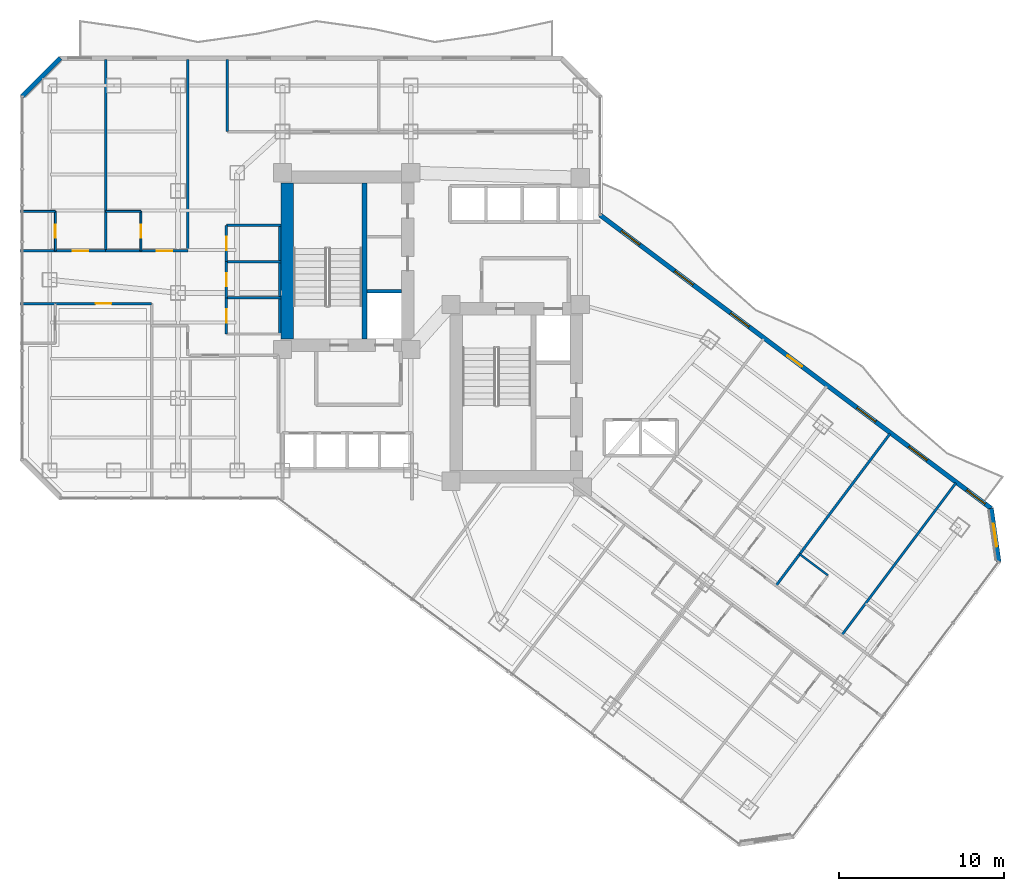
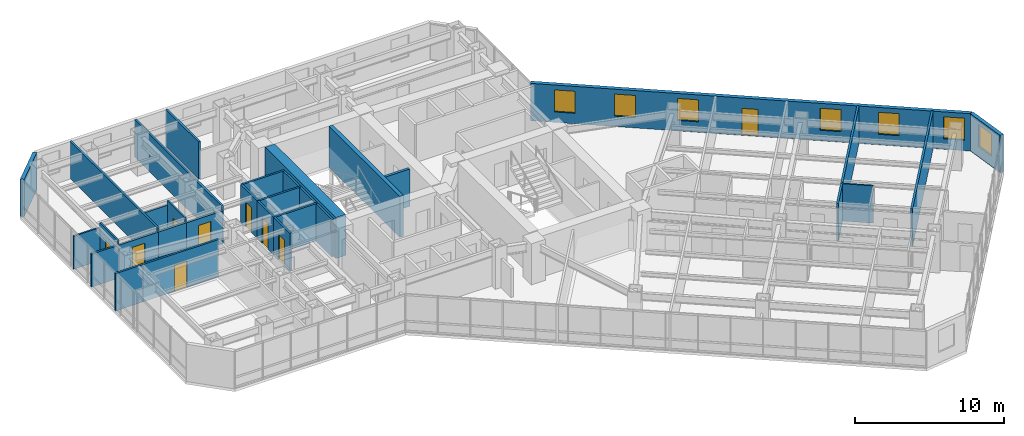
# One storey, part 30 of 36: 29 walls, 9 doors, 7 windows, 16 openings.
"""IFC4 building model written with IfcOpenShell, lengths in metres."""

from ifc_helpers import new_model, si_unit, direction, frame, frame_2d, origin, place, context, subcontext, project, spatial, rectangle, extrude, material, layer, layer_set, type_object, element, fill, save


model = new_model("IFC4")

# Units and contexts
model_context = context("Model", 3, precision=1e-05, world=origin(), true_north=direction((0.0, 1.0)))
body_context = subcontext(model_context, "Body", "Model", "MODEL_VIEW")
ifc_project = project(units=[si_unit("LENGTHUNIT", "METRE"), si_unit("AREAUNIT", "SQUARE_METRE"), si_unit("VOLUMEUNIT", "CUBIC_METRE"), si_unit("PLANEANGLEUNIT", "RADIAN"), si_unit("MASSUNIT", "GRAM", prefix="KILO")], contexts=[model_context])

# Site, building, storey
site_placement = place(None, origin())
site = spatial("IfcSite", under=ifc_project, at=site_placement, CompositionType="ELEMENT")
building_placement = place(site_placement, origin())
building = spatial("IfcBuilding", under=site, at=building_placement, Name="Hatsunagi Terrace Concourse", CompositionType="ELEMENT")
storey_placement = place(building_placement, frame((0.0, 0.0, 88.0)))
storey = spatial("IfcBuildingStorey", under=building, at=storey_placement, Name="L23", CompositionType="ELEMENT", Elevation=88.0)

# Walls
ifc_material_1 = material(Name="Concrete Fc60", Category="concrete")
ifc_layer_1 = layer(ifc_material_1, 0.75)
ifc_layer_set_1 = layer_set([ifc_layer_1], Name="CoreShearWall_Fc60_750")
wall_type_1 = type_object("IfcWallType", Name="CoreShearWall_Fc60_750", PredefinedType="SHEAR", material=ifc_layer_set_1)
wall_1_placement = place(storey_placement, frame((25.844970703125, 33.18994140625, 0.0), z_axis=(0.0, 0.0, 1.0), x_axis=(0.0, 1.0, 0.0)))
element("IfcWall", 1, at=wall_1_placement, inside=storey, type_object=wall_type_1, Name="Core A Shear Wall W L23", PredefinedType="SHEAR", context=body_context, shape_type="SweptSolid", body=[
    extrude(rectangle(XDim=9.47998046875, YDim=0.75, at=frame_2d((4.739990234375, 0.0))), origin(), (0.0, 0.0, 1.0), 3.35009765625),
])
ifc_material_2 = material(Name="Concrete Fc48", Category="concrete")
ifc_layer_2 = layer(ifc_material_2, 0.300048828125)
ifc_layer_set_2 = layer_set([ifc_layer_2], Name="CoreStairDivider_Fc48_300")
wall_type_2 = type_object("IfcWallType", Name="CoreStairDivider_Fc48_300", PredefinedType="SHEAR", material=ifc_layer_set_2)
wall_2_placement = place(storey_placement, frame((30.5400390625, 33.18994140625, 0.0), z_axis=(0.0, 0.0, 1.0), x_axis=(0.0, 1.0, 0.0)))
element("IfcWall", 2, at=wall_2_placement, inside=storey, type_object=wall_type_2, Name="Core A Shear Wall D L23", PredefinedType="SHEAR", context=body_context, shape_type="SweptSolid", body=[
    extrude(rectangle(XDim=9.47998046875, YDim=0.300048828125, at=frame_2d((4.739990234375, 0.0))), origin(), (0.0, 0.0, 1.0), 3.35009765625),
])

# Wall, opening, door
ifc_material_3 = material(Name="Acoustic mineral board", Category="gypsum")
ifc_layer_3 = layer(ifc_material_3, 0.1201171875)
ifc_layer_set_3 = layer_set([ifc_layer_3], Name="PartitionWall_EI30_120")
wall_type_3 = type_object("IfcWallType", Name="PartitionWall_EI30_120", PredefinedType="PARTITIONING", material=ifc_layer_set_3)
wall_3_placement = place(storey_placement, frame((11.75, 38.550048828125, 0.0), z_axis=(0.0, 0.0, 1.0), x_axis=(0.0, 1.0, 0.0)))
wall_3 = element("IfcWall", 3, at=wall_3_placement, inside=storey, type_object=wall_type_3, Name="Interior Partition IW-L23-049", PredefinedType="PARTITIONING", context=body_context, shape_type="SweptSolid", body=[
    extrude(rectangle(XDim=2.39990234375, YDim=0.1201171875, at=frame_2d((1.199951171875, 0.0))), origin(), (0.0, 0.0, 1.0), 3.050048828125),
])
opening_1_placement = place(wall_3_placement, frame((0.800048828125, 0.0, 0.0)))
opening_1 = element("IfcOpeningElement", 4, at=opening_1_placement, cuts=wall_3, Name="Opening DR-080", PredefinedType="OPENING", context=body_context, shape_type="SweptSolid", body=[
    extrude(rectangle(XDim=0.800048828125, YDim=2.06005859375, at=frame_2d((0.39990234375, 1.030029296875))), frame((0.0, 0.070068359375, 0.0), z_axis=(0.0, -1.0, 0.0), x_axis=(1.0, 0.0, 0.0)), (0.0, 0.0, 1.0), 0.14013671875),
])
ifc_material_4 = material(Name="Hardwood timber", Category="wood")
door_type_1 = type_object("IfcDoorType", Name="BathroomDoor_800", OperationType="NOTDEFINED", PredefinedType="DOOR", material=ifc_material_4)
door_1_placement = place(opening_1_placement, origin())
door_1 = element("IfcDoor", 5, at=door_1_placement, inside=storey, type_object=door_type_1, Name="En-Suite Bathroom L23-N1 Door", OperationType="SINGLE_SWING_RIGHT", OverallHeight=2.06005859375, OverallWidth=0.800048828125, PredefinedType="DOOR", context=body_context, shape_type="SweptSolid", body=[
    extrude(rectangle(XDim=0.800048828125, YDim=2.06005859375, at=frame_2d((0.39990234375, 1.030029296875))), frame((0.0, 0.02490234375, 0.0), z_axis=(0.0, -1.0, 0.0), x_axis=(1.0, 0.0, 0.0)), (0.0, 0.0, 1.0), 0.050048828125),
])
fill(opening_1, door_1)

# Wall
wall_4_placement = place(storey_placement, frame((9.639892578125, 40.949951171875, 0.0), z_axis=(0.0, 0.0, 1.0), x_axis=(1.0, 0.0, 0.0)))
element("IfcWall", 6, at=wall_4_placement, inside=storey, type_object=wall_type_3, Name="Interior Partition IW-L23-050", PredefinedType="PARTITIONING", context=body_context, shape_type="SweptSolid", body=[
    extrude(rectangle(XDim=2.110107421875, YDim=0.1201171875, at=frame_2d((1.05517578125, 0.0))), origin(), (0.0, 0.0, 1.0), 2.695068359375),
])

# Wall, opening, door
wall_5_placement = place(storey_placement, frame((16.949951171875, 38.550048828125, 0.0), z_axis=(0.0, 0.0, 1.0), x_axis=(0.0, 1.0, 0.0)))
wall_5 = element("IfcWall", 7, at=wall_5_placement, inside=storey, type_object=wall_type_3, Name="Interior Partition IW-L23-054", PredefinedType="PARTITIONING", context=body_context, shape_type="SweptSolid", body=[
    extrude(rectangle(XDim=2.39990234375, YDim=0.1201171875, at=frame_2d((1.199951171875, 0.0))), origin(), (0.0, 0.0, 1.0), 3.050048828125),
])
opening_2_placement = place(wall_5_placement, frame((0.800048828125, 0.0, 0.0)))
opening_2 = element("IfcOpeningElement", 8, at=opening_2_placement, cuts=wall_5, Name="Opening DR-080", PredefinedType="OPENING", context=body_context, shape_type="SweptSolid", body=[
    extrude(rectangle(XDim=0.800048828125, YDim=2.06005859375, at=frame_2d((0.39990234375, 1.030029296875))), frame((0.0, 0.070068359375, 0.0), z_axis=(0.0, -1.0, 0.0), x_axis=(1.0, 0.0, 0.0)), (0.0, 0.0, 1.0), 0.14013671875),
])
door_2_placement = place(opening_2_placement, origin())
door_2 = element("IfcDoor", 9, at=door_2_placement, inside=storey, type_object=door_type_1, Name="En-Suite Bathroom L23-N2 Door", OperationType="SINGLE_SWING_LEFT", OverallHeight=2.06005859375, OverallWidth=0.800048828125, PredefinedType="DOOR", context=body_context, shape_type="SweptSolid", body=[
    extrude(rectangle(XDim=0.800048828125, YDim=2.06005859375, at=frame_2d((0.39990234375, 1.030029296875))), frame((0.0, 0.02490234375, 0.0), z_axis=(0.0, -1.0, 0.0), x_axis=(1.0, 0.0, 0.0)), (0.0, 0.0, 1.0), 0.050048828125),
])
fill(opening_2, door_2)

# Walls
wall_6_placement = place(storey_placement, frame((14.800048828125, 40.949951171875, 0.0), z_axis=(0.0, 0.0, 1.0), x_axis=(1.0, 0.0, 0.0)))
element("IfcWall", 10, at=wall_6_placement, inside=storey, type_object=wall_type_3, Name="Interior Partition IW-L23-055", PredefinedType="PARTITIONING", context=body_context, shape_type="SweptSolid", body=[
    extrude(rectangle(XDim=2.14990234375, YDim=0.1201171875, at=frame_2d((1.074951171875, 0.0))), origin(), (0.0, 0.0, 1.0), 2.695068359375),
])
wall_7_placement = place(storey_placement, frame((56.989990234375, 20.1201171875, 0.0), z_axis=(0.0, 0.0, 1.0), x_axis=(0.79998637334, -0.60001816845, 0.0)))
element("IfcWall", 11, at=wall_7_placement, inside=storey, type_object=wall_type_3, Name="Interior Partition IW-L23-078", PredefinedType="PARTITIONING", context=body_context, shape_type="SweptSolid", body=[
    extrude(rectangle(XDim=2.14990234375, YDim=0.1201171875, at=frame_2d((1.074951171875, 0.0))), origin(), (0.0, 0.0, 1.0), 3.050048828125),
])
ifc_material_5 = material(Name="Acoustic mineral board", Category="gypsum")
ifc_layer_4 = layer(ifc_material_5, 0.14990234375)
ifc_layer_set_4 = layer_set([ifc_layer_4], Name="PartitionWall_EI60_150")
wall_type_4 = type_object("IfcWallType", Name="PartitionWall_EI60_150", PredefinedType="PARTITIONING", material=ifc_layer_set_4)
wall_8_placement = place(storey_placement, frame((22.14990234375, 40.10009765625, 0.0), z_axis=(0.0, 0.0, 1.0), x_axis=(1.0, 0.0, 0.0)))
element("IfcWall", 12, at=wall_8_placement, inside=storey, type_object=wall_type_4, Name="Interior Partition IW-L23-030", PredefinedType="PARTITIONING", context=body_context, shape_type="SweptSolid", body=[
    extrude(rectangle(XDim=3.300048828125, YDim=0.14990234375, at=frame_2d((1.64990234375, 0.0))), origin(), (0.0, 0.0, 1.0), 3.050048828125),
])
wall_9_placement = place(storey_placement, frame((25.39990234375, 33.5, 0.0), z_axis=(0.0, 0.0, 1.0), x_axis=(0.0, 1.0, 0.0)))
element("IfcWall", 13, at=wall_9_placement, inside=storey, type_object=wall_type_4, Name="Interior Partition IW-L23-031", PredefinedType="PARTITIONING", context=body_context, shape_type="SweptSolid", body=[
    extrude(rectangle(XDim=6.60009765625, YDim=0.14990234375, at=frame_2d((3.300048828125, 0.0))), origin(), (0.0, 0.0, 1.0), 3.050048828125),
])
for number, where, z_axis, x_axis, name in (
    (14, (22.14990234375, 35.699951171875, 0.0), (0.0, 0.0, 1.0), (1.0, 0.0, 0.0), "Interior Partition IW-L23-032"),
    (15, (22.14990234375, 37.89990234375, 0.0), (0.0, 0.0, 1.0), (1.0, 0.0, 0.0), "Interior Partition IW-L23-033"),
):
    element("IfcWall", number, at=place(storey_placement, frame(where, z_axis=z_axis, x_axis=x_axis)), inside=storey, type_object=wall_type_4, Name=name, PredefinedType="PARTITIONING", context=body_context, shape_type="SweptSolid", body=[
        extrude(rectangle(XDim=3.300048828125, YDim=0.14990234375, at=frame_2d((1.64990234375, 0.0))), origin(), (0.0, 0.0, 1.0), 3.050048828125),
    ])

# Wall, opening, door
wall_10_placement = place(storey_placement, frame((22.14990234375, 33.5, 0.0), z_axis=(0.0, 0.0, 1.0), x_axis=(0.0, 1.0, 0.0)))
wall_10 = element("IfcWall", 16, at=wall_10_placement, inside=storey, type_object=wall_type_4, Name="Interior Partition IW-L23-034", PredefinedType="PARTITIONING", context=body_context, shape_type="SweptSolid", body=[
    extrude(rectangle(XDim=2.199951171875, YDim=0.14990234375, at=frame_2d((1.10009765625, 0.0))), origin(), (0.0, 0.0, 1.0), 3.050048828125),
])
opening_3_placement = place(wall_10_placement, frame((0.699951171875, 0.0, 0.0)))
opening_3 = element("IfcOpeningElement", 17, at=opening_3_placement, cuts=wall_10, Name="Opening DR-080", PredefinedType="OPENING", context=body_context, shape_type="SweptSolid", body=[
    extrude(rectangle(XDim=0.800048828125, YDim=2.06005859375, at=frame_2d((0.39990234375, 1.030029296875))), frame((0.0, 0.0849609375, 0.0), z_axis=(0.0, -1.0, 0.0), x_axis=(1.0, 0.0, 0.0)), (0.0, 0.0, 1.0), 0.169921875),
])
door_3_placement = place(opening_3_placement, origin())
door_3 = element("IfcDoor", 18, at=door_3_placement, inside=storey, type_object=door_type_1, Name="Accessible WC Door L23", OperationType="SINGLE_SWING_RIGHT", OverallHeight=2.06005859375, OverallWidth=0.800048828125, PredefinedType="DOOR", context=body_context, shape_type="SweptSolid", body=[
    extrude(rectangle(XDim=0.800048828125, YDim=2.06005859375, at=frame_2d((0.39990234375, 1.030029296875))), frame((0.0, 0.02490234375, 0.0), z_axis=(0.0, -1.0, 0.0), x_axis=(1.0, 0.0, 0.0)), (0.0, 0.0, 1.0), 0.050048828125),
])
fill(opening_3, door_3)

wall_11_placement = place(storey_placement, frame((22.14990234375, 35.699951171875, 0.0), z_axis=(0.0, 0.0, 1.0), x_axis=(0.0, 1.0, 0.0)))
wall_11 = element("IfcWall", 19, at=wall_11_placement, inside=storey, type_object=wall_type_4, Name="Interior Partition IW-L23-035", PredefinedType="PARTITIONING", context=body_context, shape_type="SweptSolid", body=[
    extrude(rectangle(XDim=2.199951171875, YDim=0.14990234375, at=frame_2d((1.10009765625, 0.0))), origin(), (0.0, 0.0, 1.0), 3.050048828125),
])
opening_4_placement = place(wall_11_placement, frame((0.699951171875, 0.0, 0.0)))
opening_4 = element("IfcOpeningElement", 20, at=opening_4_placement, cuts=wall_11, Name="Opening DR-080", PredefinedType="OPENING", context=body_context, shape_type="SweptSolid", body=[
    extrude(rectangle(XDim=0.800048828125, YDim=2.06005859375, at=frame_2d((0.39990234375, 1.030029296875))), frame((0.0, 0.0849609375, 0.0), z_axis=(0.0, -1.0, 0.0), x_axis=(1.0, 0.0, 0.0)), (0.0, 0.0, 1.0), 0.169921875),
])
door_4_placement = place(opening_4_placement, origin())
door_4 = element("IfcDoor", 21, at=door_4_placement, inside=storey, type_object=door_type_1, Name="Female Restroom Door L23", OperationType="SINGLE_SWING_RIGHT", OverallHeight=2.06005859375, OverallWidth=0.800048828125, PredefinedType="DOOR", context=body_context, shape_type="SweptSolid", body=[
    extrude(rectangle(XDim=0.800048828125, YDim=2.06005859375, at=frame_2d((0.39990234375, 1.030029296875))), frame((0.0, 0.02490234375, 0.0), z_axis=(0.0, -1.0, 0.0), x_axis=(1.0, 0.0, 0.0)), (0.0, 0.0, 1.0), 0.050048828125),
])
fill(opening_4, door_4)

wall_12_placement = place(storey_placement, frame((22.14990234375, 37.89990234375, 0.0), z_axis=(0.0, 0.0, 1.0), x_axis=(0.0, 1.0, 0.0)))
wall_12 = element("IfcWall", 22, at=wall_12_placement, inside=storey, type_object=wall_type_4, Name="Interior Partition IW-L23-036", PredefinedType="PARTITIONING", context=body_context, shape_type="SweptSolid", body=[
    extrude(rectangle(XDim=2.2001953125, YDim=0.14990234375, at=frame_2d((1.10009765625, 0.0))), origin(), (0.0, 0.0, 1.0), 3.050048828125),
])
opening_5_placement = place(wall_12_placement, frame((0.699951171875, 0.0, 0.0)))
opening_5 = element("IfcOpeningElement", 23, at=opening_5_placement, cuts=wall_12, Name="Opening DR-080", PredefinedType="OPENING", context=body_context, shape_type="SweptSolid", body=[
    extrude(rectangle(XDim=0.800048828125, YDim=2.06005859375, at=frame_2d((0.39990234375, 1.030029296875))), frame((0.0, 0.0849609375, 0.0), z_axis=(0.0, -1.0, 0.0), x_axis=(1.0, 0.0, 0.0)), (0.0, 0.0, 1.0), 0.169921875),
])
door_5_placement = place(opening_5_placement, origin())
door_5 = element("IfcDoor", 24, at=door_5_placement, inside=storey, type_object=door_type_1, Name="Male Restroom Door L23", OperationType="SINGLE_SWING_RIGHT", OverallHeight=2.06005859375, OverallWidth=0.800048828125, PredefinedType="DOOR", context=body_context, shape_type="SweptSolid", body=[
    extrude(rectangle(XDim=0.800048828125, YDim=2.06005859375, at=frame_2d((0.39990234375, 1.030029296875))), frame((0.0, 0.02490234375, 0.0), z_axis=(0.0, -1.0, 0.0), x_axis=(1.0, 0.0, 0.0)), (0.0, 0.0, 1.0), 0.050048828125),
])
fill(opening_5, door_5)

# Walls
wall_13_placement = place(storey_placement, frame((22.199951171875, 45.800048828125, 0.0), z_axis=(0.0, 0.0, 1.0), x_axis=(0.0, 1.0, 0.0)))
element("IfcWall", 25, at=wall_13_placement, inside=storey, type_object=wall_type_4, Name="Interior Partition IW-L23-038", PredefinedType="PARTITIONING", context=body_context, shape_type="SweptSolid", body=[
    extrude(rectangle(XDim=4.39990234375, YDim=0.14990234375, at=frame_2d((2.199951171875, 0.0))), origin(), (0.0, 0.0, 1.0), 3.050048828125),
])
wall_14_placement = place(storey_placement, frame((9.639892578125, 38.550048828125, 0.0), z_axis=(0.0, 0.0, 1.0), x_axis=(1.0, 0.0, 0.0)))
element("IfcWall", 26, at=wall_14_placement, inside=storey, type_object=wall_type_4, Name="Interior Partition IW-L23-047", PredefinedType="PARTITIONING", context=body_context, shape_type="SweptSolid", body=[
    extrude(rectangle(XDim=2.110107421875, YDim=0.14990234375, at=frame_2d((1.05517578125, 0.0))), origin(), (0.0, 0.0, 1.0), 2.695068359375),
])

# Wall, opening, door
wall_15_placement = place(storey_placement, frame((11.75, 38.550048828125, 0.0), z_axis=(0.0, 0.0, 1.0), x_axis=(1.0, 0.0, 0.0)))
wall_15 = element("IfcWall", 27, at=wall_15_placement, inside=storey, type_object=wall_type_4, Name="Interior Partition IW-L23-048", PredefinedType="PARTITIONING", context=body_context, shape_type="SweptSolid", body=[
    extrude(rectangle(XDim=3.050048828125, YDim=0.14990234375, at=frame_2d((1.52490234375, 0.0))), origin(), (0.0, 0.0, 1.0), 2.695068359375),
])
opening_6_placement = place(wall_15_placement, frame((1.050048828125, 0.0, 0.0)))
opening_6 = element("IfcOpeningElement", 28, at=opening_6_placement, cuts=wall_15, Name="Opening DR-095", PredefinedType="OPENING", context=body_context, shape_type="SweptSolid", body=[
    extrude(rectangle(XDim=0.949951171875, YDim=2.14990234375, at=frame_2d((0.47509765625, 1.074951171875))), frame((0.0, 0.0849609375, 0.0), z_axis=(0.0, -1.0, 0.0), x_axis=(1.0, 0.0, 0.0)), (0.0, 0.0, 1.0), 0.169921875),
])
ifc_material_6 = material(Name="Hardwood timber", Category="wood")
door_type_2 = type_object("IfcDoorType", Name="InteriorSuiteDoor_EI30_950", OperationType="NOTDEFINED", PredefinedType="DOOR", material=ifc_material_6)
door_6_placement = place(opening_6_placement, origin())
door_6 = element("IfcDoor", 29, at=door_6_placement, inside=storey, type_object=door_type_2, Name="Hotel Guest Room L23-N1 Door", OperationType="SINGLE_SWING_LEFT", OverallHeight=2.14990234375, OverallWidth=0.949951171875, PredefinedType="DOOR", context=body_context, shape_type="SweptSolid", body=[
    extrude(rectangle(XDim=0.949951171875, YDim=2.14990234375, at=frame_2d((0.47509765625, 1.074951171875))), frame((0.0, 0.02490234375, 0.0), z_axis=(0.0, -1.0, 0.0), x_axis=(1.0, 0.0, 0.0)), (0.0, 0.0, 1.0), 0.050048828125),
])
fill(opening_6, door_6)

# Walls
wall_16_placement = place(storey_placement, frame((14.800048828125, 38.550048828125, 0.0), z_axis=(0.0, 0.0, 1.0), x_axis=(0.0, 1.0, 0.0)))
element("IfcWall", 30, at=wall_16_placement, inside=storey, type_object=wall_type_4, Name="Interior Partition IW-L23-051", PredefinedType="PARTITIONING", context=body_context, shape_type="SweptSolid", body=[
    extrude(rectangle(XDim=11.64990234375, YDim=0.14990234375, at=frame_2d((5.824951171875, 0.0))), origin(), (0.0, 0.0, 1.0), 3.050048828125),
])
wall_17_placement = place(storey_placement, frame((14.800048828125, 38.550048828125, 0.0), z_axis=(0.0, 0.0, 1.0), x_axis=(1.0, 0.0, 0.0)))
element("IfcWall", 31, at=wall_17_placement, inside=storey, type_object=wall_type_4, Name="Interior Partition IW-L23-052", PredefinedType="PARTITIONING", context=body_context, shape_type="SweptSolid", body=[
    extrude(rectangle(XDim=2.14990234375, YDim=0.14990234375, at=frame_2d((1.074951171875, 0.0))), origin(), (0.0, 0.0, 1.0), 2.695068359375),
])

# Wall, opening, door
wall_18_placement = place(storey_placement, frame((16.949951171875, 38.550048828125, 0.0), z_axis=(0.0, 0.0, 1.0), x_axis=(1.0, 0.0, 0.0)))
wall_18 = element("IfcWall", 32, at=wall_18_placement, inside=storey, type_object=wall_type_4, Name="Interior Partition IW-L23-053", PredefinedType="PARTITIONING", context=body_context, shape_type="SweptSolid", body=[
    extrude(rectangle(XDim=2.85009765625, YDim=0.14990234375, at=frame_2d((1.425048828125, 0.0))), origin(), (0.0, 0.0, 1.0), 2.695068359375),
])
opening_7_placement = place(wall_18_placement, frame((0.949951171875, 0.0, 0.0)))
opening_7 = element("IfcOpeningElement", 33, at=opening_7_placement, cuts=wall_18, Name="Opening DR-095", PredefinedType="OPENING", context=body_context, shape_type="SweptSolid", body=[
    extrude(rectangle(XDim=0.949951171875, YDim=2.14990234375, at=frame_2d((0.47509765625, 1.074951171875))), frame((0.0, 0.0849609375, 0.0), z_axis=(0.0, -1.0, 0.0), x_axis=(1.0, 0.0, 0.0)), (0.0, 0.0, 1.0), 0.169921875),
])
door_7_placement = place(opening_7_placement, origin())
door_7 = element("IfcDoor", 34, at=door_7_placement, inside=storey, type_object=door_type_2, Name="Hotel Guest Room L23-N2 Door", OperationType="SINGLE_SWING_LEFT", OverallHeight=2.14990234375, OverallWidth=0.949951171875, PredefinedType="DOOR", context=body_context, shape_type="SweptSolid", body=[
    extrude(rectangle(XDim=0.949951171875, YDim=2.14990234375, at=frame_2d((0.47509765625, 1.074951171875))), frame((0.0, 0.02490234375, 0.0), z_axis=(0.0, -1.0, 0.0), x_axis=(1.0, 0.0, 0.0)), (0.0, 0.0, 1.0), 0.050048828125),
])
fill(opening_7, door_7)

# Walls
wall_19_placement = place(storey_placement, frame((19.800048828125, 38.550048828125, 0.0), z_axis=(0.0, 0.0, 1.0), x_axis=(0.0, 1.0, 0.0)))
element("IfcWall", 35, at=wall_19_placement, inside=storey, type_object=wall_type_4, Name="Interior Partition IW-L23-056", PredefinedType="PARTITIONING", context=body_context, shape_type="SweptSolid", body=[
    extrude(rectangle(XDim=11.64990234375, YDim=0.14990234375, at=frame_2d((5.824951171875, 0.0))), origin(), (0.0, 0.0, 1.0), 3.050048828125),
])
wall_20_placement = place(storey_placement, frame((9.639892578125, 35.35009765625, 0.0), z_axis=(0.0, 0.0, 1.0), x_axis=(1.0, 0.0, 0.0)))
element("IfcWall", 36, at=wall_20_placement, inside=storey, type_object=wall_type_4, Name="Interior Partition IW-L23-057", PredefinedType="PARTITIONING", context=body_context, shape_type="SweptSolid", body=[
    extrude(rectangle(XDim=2.110107421875, YDim=0.14990234375, at=frame_2d((1.05517578125, 0.0))), origin(), (0.0, 0.0, 1.0), 3.050048828125),
])

# Wall, opening, door
wall_21_placement = place(storey_placement, frame((11.75, 35.35009765625, 0.0), z_axis=(0.0, 0.0, 1.0), x_axis=(1.0, 0.0, 0.0)))
wall_21 = element("IfcWall", 37, at=wall_21_placement, inside=storey, type_object=wall_type_4, Name="Interior Partition IW-L23-058", PredefinedType="PARTITIONING", context=body_context, shape_type="SweptSolid", body=[
    extrude(rectangle(XDim=5.85009765625, YDim=0.14990234375, at=frame_2d((2.925048828125, 0.0))), origin(), (0.0, 0.0, 1.0), 3.050048828125),
])
opening_8_placement = place(wall_21_placement, frame((2.449951171875, 0.0, 0.0)))
opening_8 = element("IfcOpeningElement", 38, at=opening_8_placement, cuts=wall_21, Name="Opening DR-095", PredefinedType="OPENING", context=body_context, shape_type="SweptSolid", body=[
    extrude(rectangle(XDim=0.949951171875, YDim=2.14990234375, at=frame_2d((0.47509765625, 1.074951171875))), frame((0.0, 0.0849609375, 0.0), z_axis=(0.0, -1.0, 0.0), x_axis=(1.0, 0.0, 0.0)), (0.0, 0.0, 1.0), 0.169921875),
])
door_8_placement = place(opening_8_placement, origin())
door_8 = element("IfcDoor", 39, at=door_8_placement, inside=storey, type_object=door_type_2, Name="Corner Hotel Suite L23-S1 Door", OperationType="SINGLE_SWING_RIGHT", OverallHeight=2.14990234375, OverallWidth=0.949951171875, PredefinedType="DOOR", context=body_context, shape_type="SweptSolid", body=[
    extrude(rectangle(XDim=0.949951171875, YDim=2.14990234375, at=frame_2d((0.47509765625, 1.074951171875))), frame((0.0, 0.02490234375, 0.0), z_axis=(0.0, -1.0, 0.0), x_axis=(1.0, 0.0, 0.0)), (0.0, 0.0, 1.0), 0.050048828125),
])
fill(opening_8, door_8)

# Walls
for number, where, z_axis, x_axis, name in (
    (40, (55.550048828125, 18.199951171875, 0.0), (0.0, 0.0, 1.0), (0.599996617946, 0.80000253653, 0.0), "Interior Partition IW-L23-074"),
    (41, (59.550048828125, 15.199951171875, 0.0), (0.0, 0.0, 1.0), (0.599996617946, 0.80000253653, 0.0), "Interior Partition IW-L23-079"),
):
    element("IfcWall", number, at=place(storey_placement, frame(where, z_axis=z_axis, x_axis=x_axis)), inside=storey, type_object=wall_type_4, Name=name, PredefinedType="PARTITIONING", context=body_context, shape_type="SweptSolid", body=[
        extrude(rectangle(XDim=11.550048828125, YDim=0.14990234375, at=frame_2d((5.77490234375, 0.0))), origin(), (0.0, 0.0, 1.0), 3.050048828125),
    ])
ifc_material_7 = material(Name="Acoustic mineral board", Category="gypsum")
ifc_layer_5 = layer(ifc_material_7, 0.199951171875)
ifc_layer_set_5 = layer_set([ifc_layer_5], Name="ShaftWall_EI120_200")
wall_type_5 = type_object("IfcWallType", Name="ShaftWall_EI120_200", PredefinedType="STANDARD", material=ifc_layer_set_5)
wall_22_placement = place(storey_placement, frame((30.699951171875, 36.10009765625, 0.0), z_axis=(0.0, 0.0, 1.0), x_axis=(1.0, 0.0, 0.0)))
element("IfcWall", 42, at=wall_22_placement, inside=storey, type_object=wall_type_5, Name="Interior Partition IW-L23-001", PredefinedType="STANDARD", context=body_context, shape_type="SweptSolid", body=[
    extrude(rectangle(XDim=2.10009765625, YDim=0.199951171875, at=frame_2d((1.050048828125, 0.0))), origin(), (0.0, 0.0, 1.0), 3.050048828125),
])

# Wall, openings, door, windows
ifc_material_8 = material(Name="Autoclaved Lightweight Concrete and Terracotta Cladding", Category="masonry")
ifc_layer_6 = layer(ifc_material_8, 0.280029296875)
ifc_layer_set_6 = layer_set([ifc_layer_6], Name="TerracottaSpandrelWall_280")
wall_type_6 = type_object("IfcWallType", Name="TerracottaSpandrelWall_280", PredefinedType="STANDARD", material=ifc_layer_set_6)
wall_23_placement = place(storey_placement, frame((44.860107421875, 40.72998046875, 0.0), z_axis=(0.0, 0.0, 1.0), x_axis=(0.800006902154, -0.599990797017, 0.0)))
wall_23 = element("IfcWall", 43, at=wall_23_placement, inside=storey, type_object=wall_type_6, Name="Exterior Spandrel Wall EW-L23-01", PredefinedType="STANDARD", context=body_context, shape_type="SweptSolid", body=[
    extrude(rectangle(XDim=29.7119140625, YDim=0.280029296875, at=frame_2d((14.85595703125, 0.0))), origin(), (0.0, 0.0, 1.0), 3.050048828125),
])
opening_9_placement = place(wall_23_placement, frame((14.2490234375, 0.0, 0.0)))
opening_9 = element("IfcOpeningElement", 44, at=opening_9_placement, cuts=wall_23, Name="Opening BD-01", PredefinedType="OPENING", context=body_context, shape_type="SweptSolid", body=[
    extrude(rectangle(XDim=1.10009765625, YDim=2.199951171875, at=frame_2d((0.550048828125, 1.10009765625))), frame((0.0, 0.14990234375, 0.0), z_axis=(0.0, -1.0, 0.0), x_axis=(1.0, 0.0, 0.0)), (0.0, 0.0, 1.0), 0.300048828125),
])
opening_10_placement = place(wall_23_placement, frame((1.612060546875, 0.0, 0.85009765625)))
opening_10 = element("IfcOpeningElement", 45, at=opening_10_placement, cuts=wall_23, Name="Opening WIN-02", PredefinedType="OPENING", context=body_context, shape_type="SweptSolid", body=[
    extrude(rectangle(XDim=1.39990234375, YDim=1.800048828125, at=frame_2d((0.699951171875, 0.89990234375))), frame((0.0, 0.14990234375, 0.0), z_axis=(0.0, -1.0, 0.0), x_axis=(1.0, 0.0, 0.0)), (0.0, 0.0, 1.0), 0.300048828125),
])
opening_11_placement = place(wall_23_placement, frame((5.6669921875, 0.0, 0.85009765625)))
opening_11 = element("IfcOpeningElement", 46, at=opening_11_placement, cuts=wall_23, Name="Opening WIN-02", PredefinedType="OPENING", context=body_context, shape_type="SweptSolid", body=[
    extrude(rectangle(XDim=1.39990234375, YDim=1.800048828125, at=frame_2d((0.699951171875, 0.89990234375))), frame((0.0, 0.14990234375, 0.0), z_axis=(0.0, -1.0, 0.0), x_axis=(1.0, 0.0, 0.0)), (0.0, 0.0, 1.0), 0.300048828125),
])
opening_12_placement = place(wall_23_placement, frame((9.912109375, 0.0, 0.85009765625)))
opening_12 = element("IfcOpeningElement", 47, at=opening_12_placement, cuts=wall_23, Name="Opening WIN-02", PredefinedType="OPENING", context=body_context, shape_type="SweptSolid", body=[
    extrude(rectangle(XDim=1.39990234375, YDim=1.800048828125, at=frame_2d((0.699951171875, 0.89990234375))), frame((0.0, 0.14990234375, 0.0), z_axis=(0.0, -1.0, 0.0), x_axis=(1.0, 0.0, 0.0)), (0.0, 0.0, 1.0), 0.300048828125),
])
opening_13_placement = place(wall_23_placement, frame((19.528076171875, 0.0, 0.85009765625)))
opening_13 = element("IfcOpeningElement", 48, at=opening_13_placement, cuts=wall_23, Name="Opening WIN-02", PredefinedType="OPENING", context=body_context, shape_type="SweptSolid", body=[
    extrude(rectangle(XDim=1.39990234375, YDim=1.800048828125, at=frame_2d((0.699951171875, 0.89990234375))), frame((0.0, 0.14990234375, 0.0), z_axis=(0.0, -1.0, 0.0), x_axis=(1.0, 0.0, 0.0)), (0.0, 0.0, 1.0), 0.300048828125),
])
opening_14_placement = place(wall_23_placement, frame((23.450927734375, 0.0, 0.85009765625)))
opening_14 = element("IfcOpeningElement", 49, at=opening_14_placement, cuts=wall_23, Name="Opening WIN-02", PredefinedType="OPENING", context=body_context, shape_type="SweptSolid", body=[
    extrude(rectangle(XDim=1.39990234375, YDim=1.800048828125, at=frame_2d((0.699951171875, 0.89990234375))), frame((0.0, 0.14990234375, 0.0), z_axis=(0.0, -1.0, 0.0), x_axis=(1.0, 0.0, 0.0)), (0.0, 0.0, 1.0), 0.300048828125),
])
opening_15_placement = place(wall_23_placement, frame((27.85205078125, 0.0, 0.85009765625)))
opening_15 = element("IfcOpeningElement", 50, at=opening_15_placement, cuts=wall_23, Name="Opening WIN-02", PredefinedType="OPENING", context=body_context, shape_type="SweptSolid", body=[
    extrude(rectangle(XDim=1.39990234375, YDim=1.800048828125, at=frame_2d((0.699951171875, 0.89990234375))), frame((0.0, 0.14990234375, 0.0), z_axis=(0.0, -1.0, 0.0), x_axis=(1.0, 0.0, 0.0)), (0.0, 0.0, 1.0), 0.300048828125),
])
ifc_material_9 = material(Name="Galvanised Steel and Laminated Safety Glass", Category="steel")
door_type_3 = type_object("IfcDoorType", Name="BalconyTerraceAccessDoor_1100x2200", OperationType="SINGLE_SWING_LEFT", PredefinedType="DOOR", material=ifc_material_9)
door_9_placement = place(opening_9_placement, origin())
door_9 = element("IfcDoor", 51, at=door_9_placement, inside=storey, type_object=door_type_3, Name="Engawa Balcony Door L23-BSE", OperationType="SINGLE_SWING_LEFT", OverallHeight=2.199951171875, OverallWidth=1.10009765625, PredefinedType="DOOR", context=body_context, shape_type="SweptSolid", body=[
    extrude(rectangle(XDim=1.10009765625, YDim=2.199951171875, at=frame_2d((0.550048828125, 1.10009765625))), frame((0.0, 0.02490234375, 0.0), z_axis=(0.0, -1.0, 0.0), x_axis=(1.0, 0.0, 0.0)), (0.0, 0.0, 1.0), 0.050048828125),
])
fill(opening_9, door_9)
ifc_material_10 = material(Name="Thermally Broken Aluminium and Low-E Triple Glazing", Category="aluminium")
window_type = type_object("IfcWindowType", Name="HotelOperableVentWindow_1400x1800", PartitioningType="DOUBLE_PANEL_VERTICAL", PredefinedType="WINDOW", material=ifc_material_10)
window_1_placement = place(opening_10_placement, origin())
window_1 = element("IfcWindow", 52, at=window_1_placement, inside=storey, type_object=window_type, Name="Balcony Daylighting Window L23-01-1", OverallHeight=1.800048828125, OverallWidth=1.39990234375, PartitioningType="SINGLE_PANEL", PredefinedType="WINDOW", context=body_context, shape_type="SweptSolid", body=[
    extrude(rectangle(XDim=1.39990234375, YDim=1.800048828125, at=frame_2d((0.699951171875, 0.89990234375))), frame((0.0, 0.030029296875, 0.0), z_axis=(0.0, -1.0, 0.0), x_axis=(1.0, 0.0, 0.0)), (0.0, 0.0, 1.0), 0.06005859375),
])
fill(opening_10, window_1)
window_2_placement = place(opening_11_placement, origin())
window_2 = element("IfcWindow", 53, at=window_2_placement, inside=storey, type_object=window_type, Name="Balcony Daylighting Window L23-01-2", OverallHeight=1.800048828125, OverallWidth=1.39990234375, PartitioningType="SINGLE_PANEL", PredefinedType="WINDOW", context=body_context, shape_type="SweptSolid", body=[
    extrude(rectangle(XDim=1.39990234375, YDim=1.800048828125, at=frame_2d((0.699951171875, 0.89990234375))), frame((0.0, 0.030029296875, 0.0), z_axis=(0.0, -1.0, 0.0), x_axis=(1.0, 0.0, 0.0)), (0.0, 0.0, 1.0), 0.06005859375),
])
fill(opening_11, window_2)
window_3_placement = place(opening_12_placement, origin())
window_3 = element("IfcWindow", 54, at=window_3_placement, inside=storey, type_object=window_type, Name="Balcony Daylighting Window L23-01-3", OverallHeight=1.800048828125, OverallWidth=1.39990234375, PartitioningType="SINGLE_PANEL", PredefinedType="WINDOW", context=body_context, shape_type="SweptSolid", body=[
    extrude(rectangle(XDim=1.39990234375, YDim=1.800048828125, at=frame_2d((0.699951171875, 0.89990234375))), frame((0.0, 0.030029296875, 0.0), z_axis=(0.0, -1.0, 0.0), x_axis=(1.0, 0.0, 0.0)), (0.0, 0.0, 1.0), 0.06005859375),
])
fill(opening_12, window_3)
window_4_placement = place(opening_13_placement, origin())
window_4 = element("IfcWindow", 55, at=window_4_placement, inside=storey, type_object=window_type, Name="Balcony Daylighting Window L23-01-5", OverallHeight=1.800048828125, OverallWidth=1.39990234375, PartitioningType="SINGLE_PANEL", PredefinedType="WINDOW", context=body_context, shape_type="SweptSolid", body=[
    extrude(rectangle(XDim=1.39990234375, YDim=1.800048828125, at=frame_2d((0.699951171875, 0.89990234375))), frame((0.0, 0.030029296875, 0.0), z_axis=(0.0, -1.0, 0.0), x_axis=(1.0, 0.0, 0.0)), (0.0, 0.0, 1.0), 0.06005859375),
])
fill(opening_13, window_4)
window_5_placement = place(opening_14_placement, origin())
window_5 = element("IfcWindow", 56, at=window_5_placement, inside=storey, type_object=window_type, Name="Balcony Daylighting Window L23-01-6", OverallHeight=1.800048828125, OverallWidth=1.39990234375, PartitioningType="SINGLE_PANEL", PredefinedType="WINDOW", context=body_context, shape_type="SweptSolid", body=[
    extrude(rectangle(XDim=1.39990234375, YDim=1.800048828125, at=frame_2d((0.699951171875, 0.89990234375))), frame((0.0, 0.030029296875, 0.0), z_axis=(0.0, -1.0, 0.0), x_axis=(1.0, 0.0, 0.0)), (0.0, 0.0, 1.0), 0.06005859375),
])
fill(opening_14, window_5)
window_6_placement = place(opening_15_placement, origin())
window_6 = element("IfcWindow", 57, at=window_6_placement, inside=storey, type_object=window_type, Name="Balcony Daylighting Window L23-01-7", OverallHeight=1.800048828125, OverallWidth=1.39990234375, PartitioningType="SINGLE_PANEL", PredefinedType="WINDOW", context=body_context, shape_type="SweptSolid", body=[
    extrude(rectangle(XDim=1.39990234375, YDim=1.800048828125, at=frame_2d((0.699951171875, 0.89990234375))), frame((0.0, 0.030029296875, 0.0), z_axis=(0.0, -1.0, 0.0), x_axis=(1.0, 0.0, 0.0)), (0.0, 0.0, 1.0), 0.06005859375),
])
fill(opening_15, window_6)

# Wall, opening, window
wall_24_placement = place(storey_placement, frame((68.6298828125, 22.903076171875, 0.0), z_axis=(0.0, 0.0, 1.0), x_axis=(0.141285803956, -0.989968848803, 0.0)))
wall_24 = element("IfcWall", 58, at=wall_24_placement, inside=storey, type_object=wall_type_6, Name="Exterior Spandrel Wall EW-L23-02", PredefinedType="STANDARD", context=body_context, shape_type="SweptSolid", body=[
    extrude(rectangle(XDim=3.278076171875, YDim=0.280029296875, at=frame_2d((1.63916015625, 0.0))), origin(), (0.0, 0.0, 1.0), 3.050048828125),
])
opening_16_placement = place(wall_24_placement, frame((0.93896484375, 0.0, 0.85009765625)))
opening_16 = element("IfcOpeningElement", 59, at=opening_16_placement, cuts=wall_24, Name="Opening WIN-02", PredefinedType="OPENING", context=body_context, shape_type="SweptSolid", body=[
    extrude(rectangle(XDim=1.39990234375, YDim=1.800048828125, at=frame_2d((0.699951171875, 0.89990234375))), frame((0.0, 0.14990234375, 0.0), z_axis=(0.0, -1.0, 0.0), x_axis=(1.0, 0.0, 0.0)), (0.0, 0.0, 1.0), 0.300048828125),
])
window_7_placement = place(opening_16_placement, origin())
window_7 = element("IfcWindow", 60, at=window_7_placement, inside=storey, type_object=window_type, Name="Hotel Guestroom Window L23-02-1", OverallHeight=1.800048828125, OverallWidth=1.39990234375, PartitioningType="SINGLE_PANEL", PredefinedType="WINDOW", context=body_context, shape_type="SweptSolid", body=[
    extrude(rectangle(XDim=1.39990234375, YDim=1.800048828125, at=frame_2d((0.699951171875, 0.89990234375))), frame((0.0, 0.030029296875, 0.0), z_axis=(0.0, -1.0, 0.0), x_axis=(1.0, 0.0, 0.0)), (0.0, 0.0, 1.0), 0.06005859375),
])
fill(opening_16, window_7)

# Wall
wall_25_placement = place(storey_placement, frame((9.739990234375, 47.94189453125, 0.0), z_axis=(0.0, 0.0, 1.0), x_axis=(0.707106781187, 0.707106781187, 0.0)))
element("IfcWall", 61, at=wall_25_placement, inside=storey, type_object=wall_type_6, Name="Exterior Spandrel Wall EW-L23-10", PredefinedType="STANDARD", context=body_context, shape_type="SweptSolid", body=[
    extrude(rectangle(XDim=3.2783203125, YDim=0.280029296875, at=frame_2d((1.63916015625, 0.0))), origin(), (0.0, 0.0, 1.0), 3.050048828125),
])

save(model, "model.ifc")
